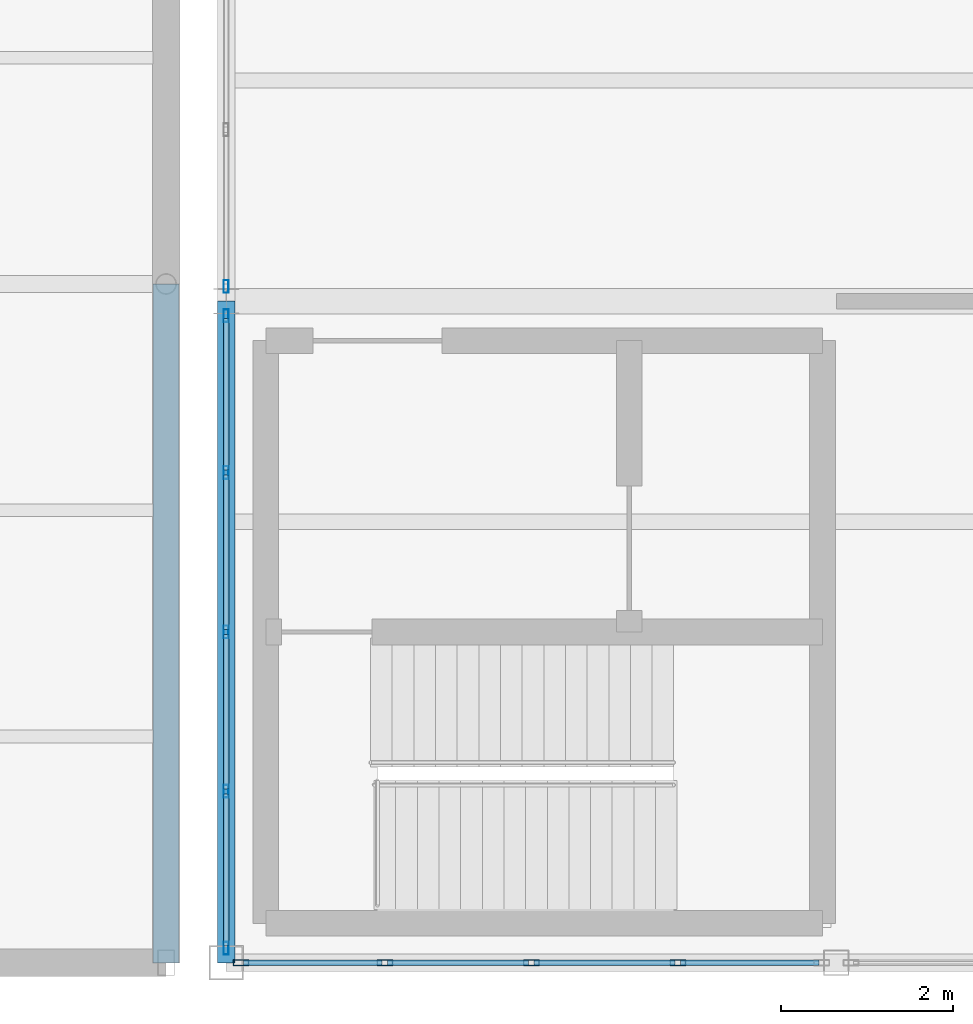
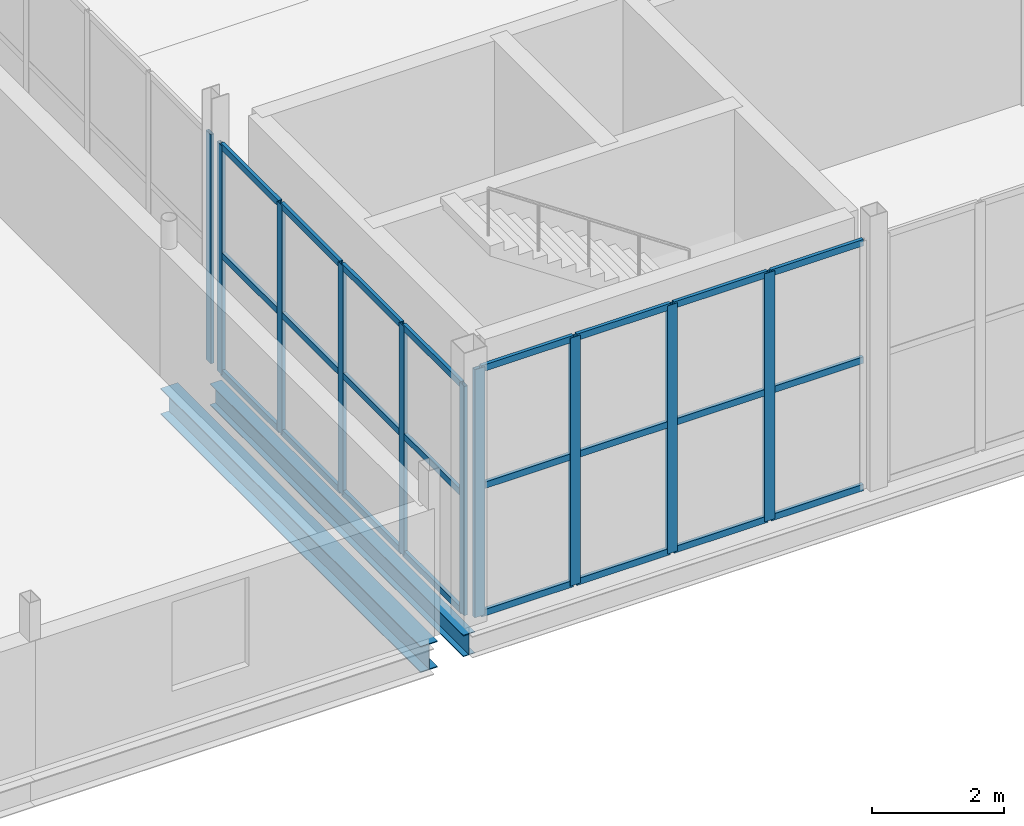
# One storey, part 105 of 218: 34 members, 2 beams, 3 elements without a shape of their own.
"""IFC4 building model written with IfcOpenShell, lengths in metres."""

from ifc_helpers import new_model, si_unit, direction, frame, origin, origin_2d, place, context, subcontext, project, spatial, hollow_rectangle, i_section, extrude, material, material_profile, profile_set, type_object, element, aggregate, save


model = new_model("IFC4")

# Units and contexts
model_context = context("Model", 3, precision=1e-05, world=origin(), true_north=direction((0.0, 1.0)))
body_context = subcontext(model_context, "Body", "Model", "MODEL_VIEW")
ifc_project = project(units=[si_unit("LENGTHUNIT", "METRE"), si_unit("AREAUNIT", "SQUARE_METRE"), si_unit("VOLUMEUNIT", "CUBIC_METRE"), si_unit("PLANEANGLEUNIT", "RADIAN"), si_unit("MASSUNIT", "GRAM", prefix="KILO")], contexts=[model_context])

# Site, building, storey
site_placement = place(None, origin())
site = spatial("IfcSite", under=ifc_project, at=site_placement, CompositionType="ELEMENT")
building_placement = place(site_placement, origin())
building = spatial("IfcBuilding", under=site, at=building_placement, Name="Kazenagashi Tramway Depot", CompositionType="ELEMENT")
storey_placement = place(building_placement, frame((0.0, 0.0, 6.0)))
storey = spatial("IfcBuildingStorey", under=building, at=storey_placement, Name="L02", CompositionType="ELEMENT", Elevation=6.0)

# Curtain wall, members
ifc_material_1 = material(Name="Anodised Aluminium and Low-E Glazing", Category="aluminium")
curtain_wall_type_1 = type_object("IfcCurtainWallType", Name="CW-31", PredefinedType="USERDEFINED", material=ifc_material_1)
curtain_wall_1_placement = place(storey_placement, origin())
curtain_wall_1 = element("IfcCurtainWall", 1, at=curtain_wall_1_placement, inside=storey, type_object=curtain_wall_type_1, Name="Industrial Glazed Screen CW-31 CW-0158", ObjectType="GLAZED SCREEN", PredefinedType="USERDEFINED")
ifc_material_2 = material(Name="Anodised Aluminium", Category="aluminium")
ifc_material_profile_1 = material_profile(ifc_material_2, hollow_rectangle(XDim=0.06, YDim=0.15, WallThickness=0.004, at=origin_2d()), Name="RHS-150x60x4")
ifc_profile_set_1 = profile_set([ifc_material_profile_1], Name="Anodised Aluminium")
member_type_1 = type_object("IfcMemberType", Name="ML-01", PredefinedType="MULLION", material=ifc_profile_set_1)
member_1_placement = place(storey_placement, frame((146.3, 0.17, 0.0), z_axis=(0.0, 0.0, 1.0), x_axis=(-1.0, 0.0, 0.0)))
member_1 = element("IfcMember", 2, at=member_1_placement, type_object=member_type_1, Name="CW-31 mullion 1", PredefinedType="MULLION", context=body_context, shape_type="SweptSolid", body=[
    extrude(hollow_rectangle(XDim=0.06, YDim=0.15, WallThickness=0.004, at=origin_2d()), origin(), (0.0, 0.0, 1.0), 4.25),
])
member_2_placement = place(storey_placement, frame((146.3, 1.995, 0.0), z_axis=(0.0, 0.0, 1.0), x_axis=(-1.0, 0.0, 0.0)))
member_2 = element("IfcMember", 3, at=member_2_placement, type_object=member_type_1, Name="CW-31 mullion 2", PredefinedType="MULLION", context=body_context, shape_type="SweptSolid", body=[
    extrude(hollow_rectangle(XDim=0.06, YDim=0.15, WallThickness=0.004, at=origin_2d()), origin(), (0.0, 0.0, 1.0), 4.25),
])
member_3_placement = place(storey_placement, frame((146.3, 3.85, 0.0), z_axis=(0.0, 0.0, 1.0), x_axis=(-1.0, 0.0, 0.0)))
member_3 = element("IfcMember", 4, at=member_3_placement, type_object=member_type_1, Name="CW-31 mullion 3", PredefinedType="MULLION", context=body_context, shape_type="SweptSolid", body=[
    extrude(hollow_rectangle(XDim=0.06, YDim=0.15, WallThickness=0.004, at=origin_2d()), origin(), (0.0, 0.0, 1.0), 4.25),
])
member_4_placement = place(storey_placement, frame((146.3, 5.705, 0.0), z_axis=(0.0, 0.0, 1.0), x_axis=(-1.0, 0.0, 0.0)))
member_4 = element("IfcMember", 5, at=member_4_placement, type_object=member_type_1, Name="CW-31 mullion 4", PredefinedType="MULLION", context=body_context, shape_type="SweptSolid", body=[
    extrude(hollow_rectangle(XDim=0.06, YDim=0.15, WallThickness=0.004, at=origin_2d()), origin(), (0.0, 0.0, 1.0), 4.25),
])
member_5_placement = place(storey_placement, frame((146.3, 7.53, 0.0), z_axis=(0.0, 0.0, 1.0), x_axis=(-1.0, 0.0, 0.0)))
member_5 = element("IfcMember", 6, at=member_5_placement, type_object=member_type_1, Name="CW-31 mullion 5", PredefinedType="MULLION", context=body_context, shape_type="SweptSolid", body=[
    extrude(hollow_rectangle(XDim=0.06, YDim=0.15, WallThickness=0.004, at=origin_2d()), origin(), (0.0, 0.0, 1.0), 4.25),
])

# Curtain wall, member
curtain_wall_2_placement = place(storey_placement, origin())
curtain_wall_2 = element("IfcCurtainWall", 7, at=curtain_wall_2_placement, inside=storey, type_object=curtain_wall_type_1, Name="Industrial Glazed Screen CW-31 CW-0160", ObjectType="GLAZED SCREEN", PredefinedType="USERDEFINED")
member_6_placement = place(storey_placement, frame((146.3, 7.87, 0.0), z_axis=(0.0, 0.0, 1.0), x_axis=(-1.0, 0.0, 0.0)))
member_6 = element("IfcMember", 8, at=member_6_placement, type_object=member_type_1, Name="CW-31 mullion 1", PredefinedType="MULLION", context=body_context, shape_type="SweptSolid", body=[
    extrude(hollow_rectangle(XDim=0.06, YDim=0.15, WallThickness=0.004, at=origin_2d()), origin(), (0.0, 0.0, 1.0), 4.25),
])
aggregate(curtain_wall_2, [member_6])

# Curtain wall, members
curtain_wall_type_2 = type_object("IfcCurtainWallType", Name="CW-22", PredefinedType="USERDEFINED", material=ifc_material_1)
curtain_wall_3_placement = place(storey_placement, origin())
curtain_wall_3 = element("IfcCurtainWall", 9, at=curtain_wall_3_placement, inside=storey, type_object=curtain_wall_type_2, Name="Industrial Glazed Screen CW-22 CW-0119", ObjectType="GLAZED SCREEN", PredefinedType="USERDEFINED")
ifc_material_profile_2 = material_profile(ifc_material_2, hollow_rectangle(XDim=0.07, YDim=0.18, WallThickness=0.005, at=origin_2d()), Name="RHS-180x70x5")
ifc_profile_set_2 = profile_set([ifc_material_profile_2], Name="Anodised Aluminium")
member_type_2 = type_object("IfcMemberType", Name="ML-02", PredefinedType="MULLION", material=ifc_profile_set_2)
member_7_placement = place(storey_placement, frame((146.47, 0.0, 0.0), z_axis=(0.0, 0.0, 1.0), x_axis=(0.0, 1.0, 0.0)))
member_7 = element("IfcMember", 10, at=member_7_placement, type_object=member_type_2, Name="CW-22 mullion 1", PredefinedType="MULLION", context=body_context, shape_type="SweptSolid", body=[
    extrude(hollow_rectangle(XDim=0.07, YDim=0.18, WallThickness=0.005, at=origin_2d()), origin(), (0.0, 0.0, 1.0), 4.6),
])
member_8_placement = place(storey_placement, frame((148.145, 0.0, 0.0), z_axis=(0.0, 0.0, 1.0), x_axis=(0.0, 1.0, 0.0)))
member_8 = element("IfcMember", 11, at=member_8_placement, type_object=member_type_2, Name="CW-22 mullion 2", PredefinedType="MULLION", context=body_context, shape_type="SweptSolid", body=[
    extrude(hollow_rectangle(XDim=0.07, YDim=0.18, WallThickness=0.005, at=origin_2d()), origin(), (0.0, 0.0, 1.0), 4.6),
])
member_9_placement = place(storey_placement, frame((149.85, 0.0, 0.0), z_axis=(0.0, 0.0, 1.0), x_axis=(0.0, 1.0, 0.0)))
member_9 = element("IfcMember", 12, at=member_9_placement, type_object=member_type_2, Name="CW-22 mullion 3", PredefinedType="MULLION", context=body_context, shape_type="SweptSolid", body=[
    extrude(hollow_rectangle(XDim=0.07, YDim=0.18, WallThickness=0.005, at=origin_2d()), origin(), (0.0, 0.0, 1.0), 4.6),
])
member_10_placement = place(storey_placement, frame((151.555, 0.0, 0.0), z_axis=(0.0, 0.0, 1.0), x_axis=(0.0, 1.0, 0.0)))
member_10 = element("IfcMember", 13, at=member_10_placement, type_object=member_type_2, Name="CW-22 mullion 4", PredefinedType="MULLION", context=body_context, shape_type="SweptSolid", body=[
    extrude(hollow_rectangle(XDim=0.07, YDim=0.18, WallThickness=0.005, at=origin_2d()), origin(), (0.0, 0.0, 1.0), 4.6),
])

# Beams
ifc_material_3 = material(Name="Steel SN490B", Category="steel")
ifc_material_profile_3 = material_profile(ifc_material_3, i_section(OverallWidth=0.3, OverallDepth=0.488, WebThickness=0.011, FlangeThickness=0.018, at=origin_2d()), Name="H-488x300x11x18")
ifc_profile_set_3 = profile_set([ifc_material_profile_3], Name="Steel SN490B")
beam_type_1 = type_object("IfcBeamType", Name="SP-02", PredefinedType="SPANDREL", material=ifc_profile_set_3)
beam_1_placement = place(storey_placement, frame((145.6, 0.0, -0.469), z_axis=(0.0, 1.0, 0.0), x_axis=(-1.0, 0.0, 0.0)))
element("IfcBeam", 14, at=beam_1_placement, inside=storey, type_object=beam_type_1, Name="Beam SP-02 BM-1643", PredefinedType="SPANDREL", context=body_context, shape_type="SweptSolid", body=[
    extrude(i_section(OverallWidth=0.3, OverallDepth=0.488, WebThickness=0.011, FlangeThickness=0.018, at=origin_2d()), origin(), (0.0, 0.0, 1.0), 7.9),
])
ifc_material_profile_4 = material_profile(ifc_material_3, i_section(OverallWidth=0.2, OverallDepth=0.4, WebThickness=0.008, FlangeThickness=0.013, at=origin_2d()), Name="H-400x200x8x13")
ifc_profile_set_4 = profile_set([ifc_material_profile_4], Name="Steel SN490B")
beam_type_2 = type_object("IfcBeamType", Name="SP-04", PredefinedType="SPANDREL", material=ifc_profile_set_4)
beam_2_placement = place(storey_placement, frame((146.3, 0.0, -0.48), z_axis=(0.0, 1.0, 0.0), x_axis=(-1.0, 0.0, 0.0)))
element("IfcBeam", 15, at=beam_2_placement, inside=storey, type_object=beam_type_2, Name="Beam SP-04 BM-1230", PredefinedType="SPANDREL", context=body_context, shape_type="SweptSolid", body=[
    extrude(i_section(OverallWidth=0.2, OverallDepth=0.4, WebThickness=0.008, FlangeThickness=0.013, at=origin_2d()), origin(), (0.0, 0.0, 1.0), 7.7),
])

# Member
ifc_material_profile_5 = material_profile(ifc_material_2, hollow_rectangle(XDim=0.06, YDim=0.12, WallThickness=0.004, at=origin_2d()), Name="RHS-120x60x4")
ifc_profile_set_5 = profile_set([ifc_material_profile_5], Name="Anodised Aluminium")
member_type_3 = type_object("IfcMemberType", Name="TR-01", PredefinedType="USERDEFINED", material=ifc_profile_set_5)
member_11_placement = place(storey_placement, frame((146.5, 0.0, 0.03), z_axis=(1.0, 0.0, 0.0), x_axis=(0.0, 1.0, 0.0)))
member_11 = element("IfcMember", 16, at=member_11_placement, type_object=member_type_3, Name="CW-22 transom 1.1", ObjectType="TRANSOM", PredefinedType="USERDEFINED", context=body_context, shape_type="SweptSolid", body=[
    extrude(hollow_rectangle(XDim=0.06, YDim=0.12, WallThickness=0.004, at=origin_2d()), origin(), (0.0, 0.0, 1.0), 1.615),
])

member_12_placement = place(storey_placement, frame((146.5, 0.0, 2.392), z_axis=(1.0, 0.0, 0.0), x_axis=(0.0, 1.0, 0.0)))
member_12 = element("IfcMember", 17, at=member_12_placement, type_object=member_type_3, Name="CW-22 transom 1.2", ObjectType="TRANSOM", PredefinedType="USERDEFINED", context=body_context, shape_type="SweptSolid", body=[
    extrude(hollow_rectangle(XDim=0.06, YDim=0.12, WallThickness=0.004, at=origin_2d()), origin(), (0.0, 0.0, 1.0), 1.615),
])

member_13_placement = place(storey_placement, frame((146.5, 0.0, 4.57), z_axis=(1.0, 0.0, 0.0), x_axis=(0.0, 1.0, 0.0)))
member_13 = element("IfcMember", 18, at=member_13_placement, type_object=member_type_3, Name="CW-22 transom 1.3", ObjectType="TRANSOM", PredefinedType="USERDEFINED", context=body_context, shape_type="SweptSolid", body=[
    extrude(hollow_rectangle(XDim=0.06, YDim=0.12, WallThickness=0.004, at=origin_2d()), origin(), (0.0, 0.0, 1.0), 1.615),
])

member_14_placement = place(storey_placement, frame((148.175, 0.0, 0.03), z_axis=(1.0, 0.0, 0.0), x_axis=(0.0, 1.0, 0.0)))
member_14 = element("IfcMember", 19, at=member_14_placement, type_object=member_type_3, Name="CW-22 transom 2.1", ObjectType="TRANSOM", PredefinedType="USERDEFINED", context=body_context, shape_type="SweptSolid", body=[
    extrude(hollow_rectangle(XDim=0.06, YDim=0.12, WallThickness=0.004, at=origin_2d()), origin(), (0.0, 0.0, 1.0), 1.645),
])

member_15_placement = place(storey_placement, frame((148.175, 0.0, 2.392), z_axis=(1.0, 0.0, 0.0), x_axis=(0.0, 1.0, 0.0)))
member_15 = element("IfcMember", 20, at=member_15_placement, type_object=member_type_3, Name="CW-22 transom 2.2", ObjectType="TRANSOM", PredefinedType="USERDEFINED", context=body_context, shape_type="SweptSolid", body=[
    extrude(hollow_rectangle(XDim=0.06, YDim=0.12, WallThickness=0.004, at=origin_2d()), origin(), (0.0, 0.0, 1.0), 1.645),
])

member_16_placement = place(storey_placement, frame((148.175, 0.0, 4.57), z_axis=(1.0, 0.0, 0.0), x_axis=(0.0, 1.0, 0.0)))
member_16 = element("IfcMember", 21, at=member_16_placement, type_object=member_type_3, Name="CW-22 transom 2.3", ObjectType="TRANSOM", PredefinedType="USERDEFINED", context=body_context, shape_type="SweptSolid", body=[
    extrude(hollow_rectangle(XDim=0.06, YDim=0.12, WallThickness=0.004, at=origin_2d()), origin(), (0.0, 0.0, 1.0), 1.645),
])

member_17_placement = place(storey_placement, frame((149.88, 0.0, 0.03), z_axis=(1.0, 0.0, 0.0), x_axis=(0.0, 1.0, 0.0)))
member_17 = element("IfcMember", 22, at=member_17_placement, type_object=member_type_3, Name="CW-22 transom 3.1", ObjectType="TRANSOM", PredefinedType="USERDEFINED", context=body_context, shape_type="SweptSolid", body=[
    extrude(hollow_rectangle(XDim=0.06, YDim=0.12, WallThickness=0.004, at=origin_2d()), origin(), (0.0, 0.0, 1.0), 1.645),
])

member_18_placement = place(storey_placement, frame((149.88, 0.0, 2.392), z_axis=(1.0, 0.0, 0.0), x_axis=(0.0, 1.0, 0.0)))
member_18 = element("IfcMember", 23, at=member_18_placement, type_object=member_type_3, Name="CW-22 transom 3.2", ObjectType="TRANSOM", PredefinedType="USERDEFINED", context=body_context, shape_type="SweptSolid", body=[
    extrude(hollow_rectangle(XDim=0.06, YDim=0.12, WallThickness=0.004, at=origin_2d()), origin(), (0.0, 0.0, 1.0), 1.645),
])

member_19_placement = place(storey_placement, frame((149.88, 0.0, 4.57), z_axis=(1.0, 0.0, 0.0), x_axis=(0.0, 1.0, 0.0)))
member_19 = element("IfcMember", 24, at=member_19_placement, type_object=member_type_3, Name="CW-22 transom 3.3", ObjectType="TRANSOM", PredefinedType="USERDEFINED", context=body_context, shape_type="SweptSolid", body=[
    extrude(hollow_rectangle(XDim=0.06, YDim=0.12, WallThickness=0.004, at=origin_2d()), origin(), (0.0, 0.0, 1.0), 1.645),
])

member_20_placement = place(storey_placement, frame((151.585, 0.0, 0.03), z_axis=(1.0, 0.0, 0.0), x_axis=(0.0, 1.0, 0.0)))
member_20 = element("IfcMember", 25, at=member_20_placement, type_object=member_type_3, Name="CW-22 transom 4.1", ObjectType="TRANSOM", PredefinedType="USERDEFINED", context=body_context, shape_type="SweptSolid", body=[
    extrude(hollow_rectangle(XDim=0.06, YDim=0.12, WallThickness=0.004, at=origin_2d()), origin(), (0.0, 0.0, 1.0), 1.615),
])

member_21_placement = place(storey_placement, frame((151.585, 0.0, 2.392), z_axis=(1.0, 0.0, 0.0), x_axis=(0.0, 1.0, 0.0)))
member_21 = element("IfcMember", 26, at=member_21_placement, type_object=member_type_3, Name="CW-22 transom 4.2", ObjectType="TRANSOM", PredefinedType="USERDEFINED", context=body_context, shape_type="SweptSolid", body=[
    extrude(hollow_rectangle(XDim=0.06, YDim=0.12, WallThickness=0.004, at=origin_2d()), origin(), (0.0, 0.0, 1.0), 1.615),
])

member_22_placement = place(storey_placement, frame((151.585, 0.0, 4.57), z_axis=(1.0, 0.0, 0.0), x_axis=(0.0, 1.0, 0.0)))
member_22 = element("IfcMember", 27, at=member_22_placement, type_object=member_type_3, Name="CW-22 transom 4.3", ObjectType="TRANSOM", PredefinedType="USERDEFINED", context=body_context, shape_type="SweptSolid", body=[
    extrude(hollow_rectangle(XDim=0.06, YDim=0.12, WallThickness=0.004, at=origin_2d()), origin(), (0.0, 0.0, 1.0), 1.615),
])

aggregate(curtain_wall_3, [member_7, member_8, member_9, member_10, member_11, member_12, member_13, member_14, member_15, member_16, member_17, member_18, member_19, member_20, member_21, member_22])

member_23_placement = place(storey_placement, frame((146.3, 0.2, 0.03), z_axis=(0.0, 1.0, 0.0), x_axis=(-1.0, 0.0, 0.0)))
member_23 = element("IfcMember", 28, at=member_23_placement, type_object=member_type_3, Name="CW-31 transom 1.1", ObjectType="TRANSOM", PredefinedType="USERDEFINED", context=body_context, shape_type="SweptSolid", body=[
    extrude(hollow_rectangle(XDim=0.06, YDim=0.12, WallThickness=0.004, at=origin_2d()), origin(), (0.0, 0.0, 1.0), 1.765),
])

member_24_placement = place(storey_placement, frame((146.3, 0.2, 2.21), z_axis=(0.0, 1.0, 0.0), x_axis=(-1.0, 0.0, 0.0)))
member_24 = element("IfcMember", 29, at=member_24_placement, type_object=member_type_3, Name="CW-31 transom 1.2", ObjectType="TRANSOM", PredefinedType="USERDEFINED", context=body_context, shape_type="SweptSolid", body=[
    extrude(hollow_rectangle(XDim=0.06, YDim=0.12, WallThickness=0.004, at=origin_2d()), origin(), (0.0, 0.0, 1.0), 1.765),
])

member_25_placement = place(storey_placement, frame((146.3, 0.2, 4.22), z_axis=(0.0, 1.0, 0.0), x_axis=(-1.0, 0.0, 0.0)))
member_25 = element("IfcMember", 30, at=member_25_placement, type_object=member_type_3, Name="CW-31 transom 1.3", ObjectType="TRANSOM", PredefinedType="USERDEFINED", context=body_context, shape_type="SweptSolid", body=[
    extrude(hollow_rectangle(XDim=0.06, YDim=0.12, WallThickness=0.004, at=origin_2d()), origin(), (0.0, 0.0, 1.0), 1.765),
])

member_26_placement = place(storey_placement, frame((146.3, 2.025, 0.03), z_axis=(0.0, 1.0, 0.0), x_axis=(-1.0, 0.0, 0.0)))
member_26 = element("IfcMember", 31, at=member_26_placement, type_object=member_type_3, Name="CW-31 transom 2.1", ObjectType="TRANSOM", PredefinedType="USERDEFINED", context=body_context, shape_type="SweptSolid", body=[
    extrude(hollow_rectangle(XDim=0.06, YDim=0.12, WallThickness=0.004, at=origin_2d()), origin(), (0.0, 0.0, 1.0), 1.795),
])

member_27_placement = place(storey_placement, frame((146.3, 2.025, 2.21), z_axis=(0.0, 1.0, 0.0), x_axis=(-1.0, 0.0, 0.0)))
member_27 = element("IfcMember", 32, at=member_27_placement, type_object=member_type_3, Name="CW-31 transom 2.2", ObjectType="TRANSOM", PredefinedType="USERDEFINED", context=body_context, shape_type="SweptSolid", body=[
    extrude(hollow_rectangle(XDim=0.06, YDim=0.12, WallThickness=0.004, at=origin_2d()), origin(), (0.0, 0.0, 1.0), 1.795),
])

member_28_placement = place(storey_placement, frame((146.3, 2.025, 4.22), z_axis=(0.0, 1.0, 0.0), x_axis=(-1.0, 0.0, 0.0)))
member_28 = element("IfcMember", 33, at=member_28_placement, type_object=member_type_3, Name="CW-31 transom 2.3", ObjectType="TRANSOM", PredefinedType="USERDEFINED", context=body_context, shape_type="SweptSolid", body=[
    extrude(hollow_rectangle(XDim=0.06, YDim=0.12, WallThickness=0.004, at=origin_2d()), origin(), (0.0, 0.0, 1.0), 1.795),
])

member_29_placement = place(storey_placement, frame((146.3, 3.88, 0.03), z_axis=(0.0, 1.0, 0.0), x_axis=(-1.0, 0.0, 0.0)))
member_29 = element("IfcMember", 34, at=member_29_placement, type_object=member_type_3, Name="CW-31 transom 3.1", ObjectType="TRANSOM", PredefinedType="USERDEFINED", context=body_context, shape_type="SweptSolid", body=[
    extrude(hollow_rectangle(XDim=0.06, YDim=0.12, WallThickness=0.004, at=origin_2d()), origin(), (0.0, 0.0, 1.0), 1.795),
])

member_30_placement = place(storey_placement, frame((146.3, 3.88, 2.21), z_axis=(0.0, 1.0, 0.0), x_axis=(-1.0, 0.0, 0.0)))
member_30 = element("IfcMember", 35, at=member_30_placement, type_object=member_type_3, Name="CW-31 transom 3.2", ObjectType="TRANSOM", PredefinedType="USERDEFINED", context=body_context, shape_type="SweptSolid", body=[
    extrude(hollow_rectangle(XDim=0.06, YDim=0.12, WallThickness=0.004, at=origin_2d()), origin(), (0.0, 0.0, 1.0), 1.795),
])

member_31_placement = place(storey_placement, frame((146.3, 3.88, 4.22), z_axis=(0.0, 1.0, 0.0), x_axis=(-1.0, 0.0, 0.0)))
member_31 = element("IfcMember", 36, at=member_31_placement, type_object=member_type_3, Name="CW-31 transom 3.3", ObjectType="TRANSOM", PredefinedType="USERDEFINED", context=body_context, shape_type="SweptSolid", body=[
    extrude(hollow_rectangle(XDim=0.06, YDim=0.12, WallThickness=0.004, at=origin_2d()), origin(), (0.0, 0.0, 1.0), 1.795),
])

member_32_placement = place(storey_placement, frame((146.3, 5.735, 0.03), z_axis=(0.0, 1.0, 0.0), x_axis=(-1.0, 0.0, 0.0)))
member_32 = element("IfcMember", 37, at=member_32_placement, type_object=member_type_3, Name="CW-31 transom 4.1", ObjectType="TRANSOM", PredefinedType="USERDEFINED", context=body_context, shape_type="SweptSolid", body=[
    extrude(hollow_rectangle(XDim=0.06, YDim=0.12, WallThickness=0.004, at=origin_2d()), origin(), (0.0, 0.0, 1.0), 1.765),
])

member_33_placement = place(storey_placement, frame((146.3, 5.735, 2.21), z_axis=(0.0, 1.0, 0.0), x_axis=(-1.0, 0.0, 0.0)))
member_33 = element("IfcMember", 38, at=member_33_placement, type_object=member_type_3, Name="CW-31 transom 4.2", ObjectType="TRANSOM", PredefinedType="USERDEFINED", context=body_context, shape_type="SweptSolid", body=[
    extrude(hollow_rectangle(XDim=0.06, YDim=0.12, WallThickness=0.004, at=origin_2d()), origin(), (0.0, 0.0, 1.0), 1.765),
])

member_34_placement = place(storey_placement, frame((146.3, 5.735, 4.22), z_axis=(0.0, 1.0, 0.0), x_axis=(-1.0, 0.0, 0.0)))
member_34 = element("IfcMember", 39, at=member_34_placement, type_object=member_type_3, Name="CW-31 transom 4.3", ObjectType="TRANSOM", PredefinedType="USERDEFINED", context=body_context, shape_type="SweptSolid", body=[
    extrude(hollow_rectangle(XDim=0.06, YDim=0.12, WallThickness=0.004, at=origin_2d()), origin(), (0.0, 0.0, 1.0), 1.765),
])

aggregate(curtain_wall_1, [member_1, member_2, member_3, member_4, member_5, member_23, member_24, member_25, member_26, member_27, member_28, member_29, member_30, member_31, member_32, member_33, member_34])

save(model, "model.ifc")
